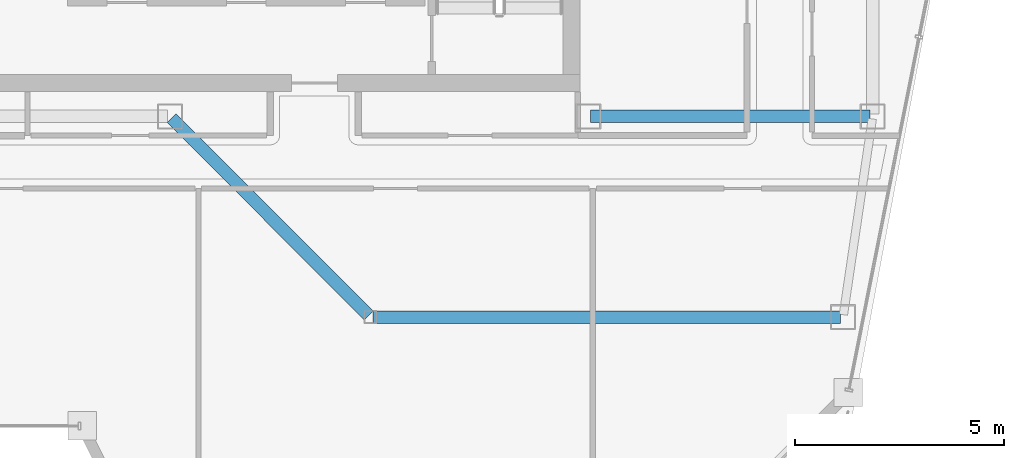
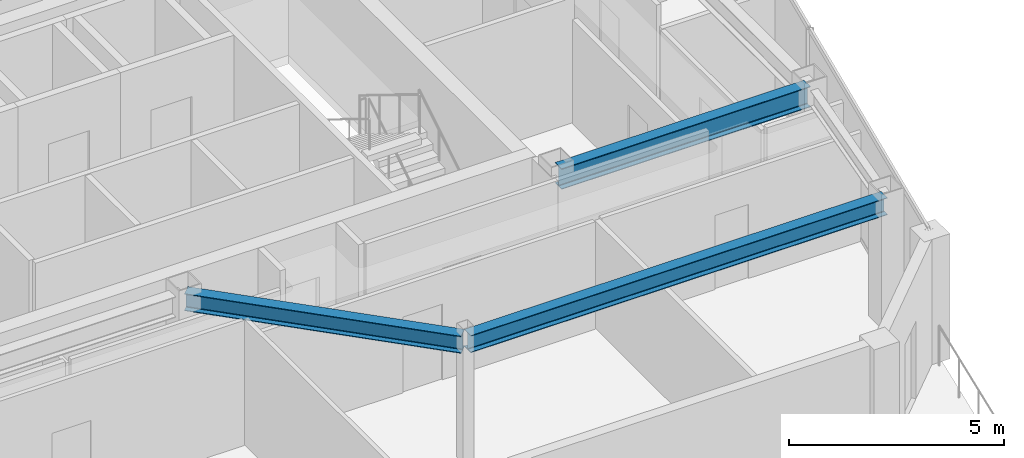
# One storey, part 9 of 20: 3 beams.
"""IFC4 building model written with IfcOpenShell, lengths in metres."""

from ifc_helpers import new_model, si_unit, direction, frame, origin, origin_2d, place, context, subcontext, project, spatial, i_section, extrude, material, material_profile, profile_set, type_object, element, save


model = new_model("IFC4")

# Units and contexts
model_context = context("Model", 3, precision=1e-05, world=origin(), true_north=direction((0.0, 1.0)))
body_context = subcontext(model_context, "Body", "Model", "MODEL_VIEW")
ifc_project = project(units=[si_unit("LENGTHUNIT", "METRE"), si_unit("AREAUNIT", "SQUARE_METRE"), si_unit("VOLUMEUNIT", "CUBIC_METRE"), si_unit("PLANEANGLEUNIT", "RADIAN"), si_unit("MASSUNIT", "GRAM", prefix="KILO")], contexts=[model_context])

# Site, building, storey
site_placement = place(None, origin())
site = spatial("IfcSite", under=ifc_project, at=site_placement, CompositionType="ELEMENT")
building_placement = place(site_placement, origin())
building = spatial("IfcBuilding", under=site, at=building_placement, Name="Saevonmaru Cultural Tower", CompositionType="ELEMENT")
storey_placement = place(building_placement, frame((0.0, 0.0, 295.199951171875)))
storey = spatial("IfcBuildingStorey", under=building, at=storey_placement, Name="L70", CompositionType="ELEMENT", Elevation=295.199951171875)

# Beams
ifc_material = material(Name="Steel SM355", Category="steel")
ifc_material_profile_1 = material_profile(ifc_material, i_section(OverallWidth=0.300048828125, OverallDepth=0.488037109375, WebThickness=0.010986328125, FlangeThickness=0.01806640625, FilletRadius=0.02197265625, at=origin_2d()), Name="H-488x300x11x18")
ifc_profile_set_1 = profile_set([ifc_material_profile_1], Name="Steel SM355")
beam_type_1 = type_object("IfcBeamType", Name="BM-G-H488", PredefinedType="BEAM", material=ifc_profile_set_1)
beam_1_placement = place(storey_placement, frame((41.149658203125, 37.642578125, 3.30615234375), z_axis=(-0.706538566564, 0.707674539572, 0.0), x_axis=(-0.707674539572, -0.706538566564, 0.0)))
element("IfcBeam", 1, at=beam_1_placement, inside=storey, type_object=beam_type_1, Name="L70 East Atrium Girder 1", PredefinedType="BEAM", context=body_context, shape_type="SweptSolid", body=[
    extrude(i_section(OverallWidth=0.300048828125, OverallDepth=0.488037109375, WebThickness=0.010986328125, FlangeThickness=0.01806640625, FilletRadius=0.02197265625, at=origin_2d()), origin(), (0.0, 0.0, 1.0), 6.662353515625),
])
beam_2_placement = place(storey_placement, frame((41.251953125, 37.60009765625, 3.30615234375), z_axis=(1.0, 0.0, 0.0), x_axis=(0.0, 1.0, 0.0)))
element("IfcBeam", 2, at=beam_2_placement, inside=storey, type_object=beam_type_1, Name="L70 East Wing Transverse Girder 1", PredefinedType="BEAM", context=body_context, shape_type="SweptSolid", body=[
    extrude(i_section(OverallWidth=0.300048828125, OverallDepth=0.488037109375, WebThickness=0.010986328125, FlangeThickness=0.01806640625, FilletRadius=0.02197265625, at=origin_2d()), origin(), (0.0, 0.0, 1.0), 11.179931640625),
])
ifc_material_profile_2 = material_profile(ifc_material, i_section(OverallWidth=0.300048828125, OverallDepth=0.587890625, WebThickness=0.011962890625, FlangeThickness=0.02001953125, FilletRadius=0.02392578125, at=origin_2d()), Name="H-588x300x12x20")
ifc_profile_set_2 = profile_set([ifc_material_profile_2], Name="Steel SM355")
beam_type_2 = type_object("IfcBeamType", Name="BM-G-H588", PredefinedType="BEAM", material=ifc_profile_set_2)
beam_3_placement = place(storey_placement, frame((46.4599609375, 42.39990234375, 3.256103515625), z_axis=(1.0, 0.0, 0.0), x_axis=(0.0, 1.0, 0.0)))
element("IfcBeam", 3, at=beam_3_placement, inside=storey, type_object=beam_type_2, Name="L70 Core South Girder 5", PredefinedType="BEAM", context=body_context, shape_type="SweptSolid", body=[
    extrude(i_section(OverallWidth=0.300048828125, OverallDepth=0.587890625, WebThickness=0.011962890625, FlangeThickness=0.02001953125, FilletRadius=0.02392578125, at=origin_2d()), origin(), (0.0, 0.0, 1.0), 6.679931640625),
])

save(model, "model.ifc")
